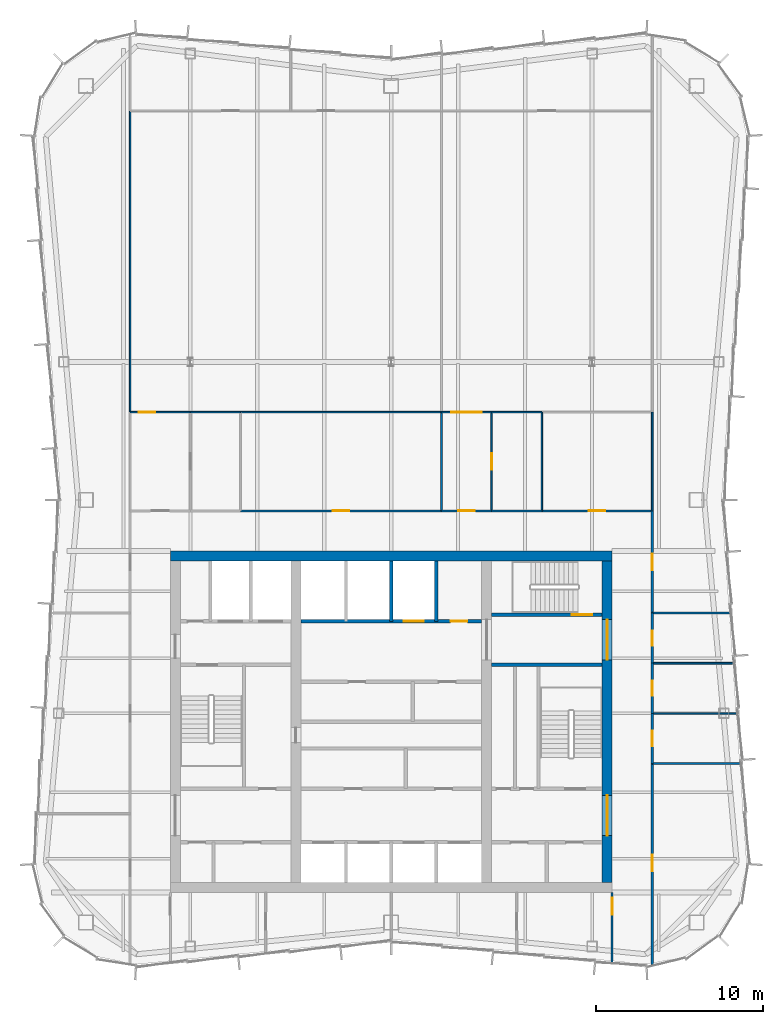
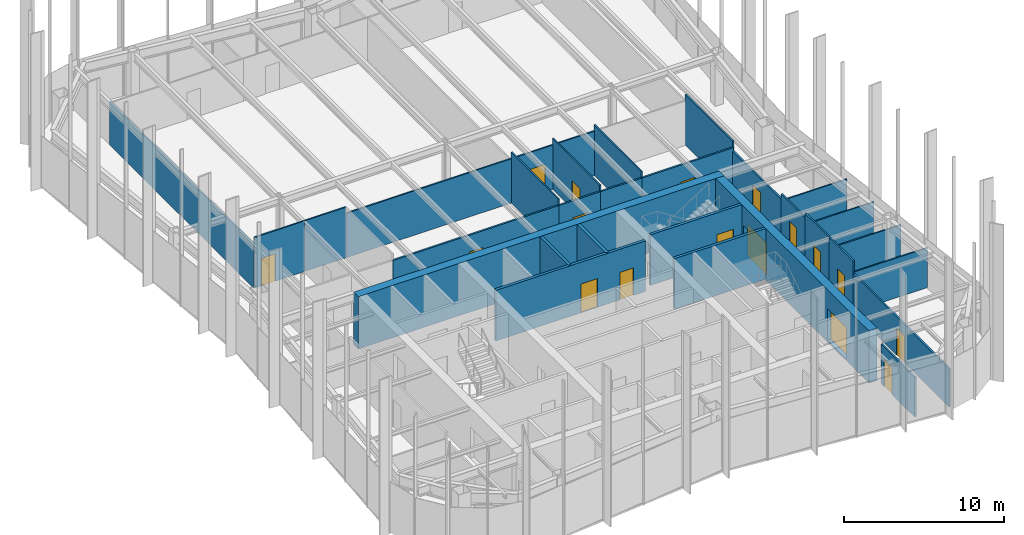
# One storey, part 11 of 13: 31 walls, 17 doors, 17 openings.
"""IFC4 building model written with IfcOpenShell, lengths in metres."""

import ifcopenshell
import ifcopenshell.guid

model = None  # the IFC model being written
_history = None  # IfcOwnerHistory: only IFC2X3 demands one
_inside = {}  # id of a spatial element -> (the spatial element, [elements in it])
_under = {}  # id of a project, library or spatial element -> (it, [spatial elements below it])
_declared = {}  # id of a project -> (the project, [libraries it declares])
_typed = {}  # id of a type object -> (the type object, [elements of that type])
_made_of = {}  # id of a material, layer set ... -> (it, [elements and type objects made of it])


def new_model(schema):
    """Start an empty IFC model of exactly this schema.

    Asked for "IFC4X3", IfcOpenShell would pick the latest addendum, in which some entities
    have other attributes; the version numbers below select the first issue.
    IFC2X3 requires an IfcOwnerHistory on every rooted entity: one is made here for all.
    """
    global model, _history
    if schema == "IFC4X3":
        model = ifcopenshell.file(schema_version=(4, 3, 0, 0))
    else:
        model = ifcopenshell.file(schema=schema)
    _inside.clear()
    _under.clear()
    _declared.clear()
    _typed.clear()
    _made_of.clear()
    _history = None
    if model.schema == "IFC2X3":
        org = make("IfcOrganization", Name="unknown")
        user = make(
            "IfcPersonAndOrganization",
            ThePerson=make("IfcPerson", FamilyName="unknown"),
            TheOrganization=org,
        )
        app = make(
            "IfcApplication",
            ApplicationDeveloper=org,
            Version="unknown",
            ApplicationFullName="unknown",
            ApplicationIdentifier="unknown",
        )
        _history = make(
            "IfcOwnerHistory",
            OwningUser=user,
            OwningApplication=app,
            ChangeAction="ADDED",
            CreationDate=0,
        )
    return model


def make(cls, **values):
    """One entity of the class cls with the attributes given. An attribute that is None is left unset."""
    return model.create_entity(
        cls, **{name: value for name, value in values.items() if value is not None}
    )


def rooted(cls, **values):
    """An entity with a GlobalId (a new one), such as an element, a storey or a relation."""
    return make(cls, GlobalId=ifcopenshell.guid.new(), OwnerHistory=_history, **values)


def si_unit(unit_type, name, prefix=None):
    """IfcSIUnit, for example si_unit("LENGTHUNIT", "METRE", prefix="MILLI")."""
    return make("IfcSIUnit", UnitType=unit_type, Prefix=prefix, Name=name)


def assignment(units):
    """IfcUnitAssignment: the units of a project."""
    return None if units is None else make("IfcUnitAssignment", Units=units)


def point(xyz):
    """IfcCartesianPoint."""
    return None if xyz is None else make("IfcCartesianPoint", Coordinates=xyz)


def direction(xyz):
    """IfcDirection."""
    return None if xyz is None else make("IfcDirection", DirectionRatios=xyz)


def frame(location, z_axis=None, x_axis=None):
    """IfcAxis2Placement3D, a coordinate frame: its origin and axes. An axis left out is left unset."""
    return make(
        "IfcAxis2Placement3D",
        Location=point(location),
        Axis=direction(z_axis),
        RefDirection=direction(x_axis),
    )


def frame_2d(location, x_axis=None):
    """IfcAxis2Placement2D, a coordinate frame in the plane: its origin and x axis."""
    return make(
        "IfcAxis2Placement2D", Location=point(location), RefDirection=direction(x_axis)
    )


def origin():
    """The frame at (0, 0, 0) with its axes left unset."""
    return frame((0.0, 0.0, 0.0))


def place(relative_to, where):
    """IfcLocalPlacement: puts the frame where relative to a parent placement (None: the world)."""
    return make(
        "IfcLocalPlacement", PlacementRelTo=relative_to, RelativePlacement=where
    )


def context(
    kind, dimensions, precision=None, world=None, true_north=None, identifier=None
):
    """IfcGeometricRepresentationContext, for example the 3D "Model" context."""
    return make(
        "IfcGeometricRepresentationContext",
        ContextIdentifier=identifier,
        ContextType=kind,
        CoordinateSpaceDimension=dimensions,
        Precision=precision,
        WorldCoordinateSystem=world,
        TrueNorth=true_north,
    )


def subcontext(parent, identifier, kind, view, scale=None):
    """IfcGeometricRepresentationSubContext, for example "Body" below "Model"."""
    return make(
        "IfcGeometricRepresentationSubContext",
        ContextIdentifier=identifier,
        ContextType=kind,
        ParentContext=parent,
        TargetScale=scale,
        TargetView=view,
    )


def project(units=None, contexts=None):
    """IfcProject with its units and contexts."""
    return rooted(
        "IfcProject",
        Name="project",
        RepresentationContexts=contexts,
        UnitsInContext=assignment(units),
    )


def spatial(cls, under=None, at=None, **own):
    """A site, building, storey or space (cls), placed at a placement, below another one or the project."""
    s = rooted(cls, ObjectPlacement=at, **own)
    if under is not None:
        _under.setdefault(under.id(), (under, []))[1].append(s)
    return s


def profile(cls, at=None, kind="AREA", **sizes):
    """A parametric profile (cls). Its sizes go by their IFC names, for example OverallWidth=200.0."""
    return make(cls, ProfileType=kind, Position=at, **sizes)


def rectangle(**sizes):
    """IfcRectangleProfileDef."""
    return profile("IfcRectangleProfileDef", **sizes)


def extrude(swept, where, along, depth):
    """IfcExtrudedAreaSolid: the profile swept, set in the frame where, extruded along a direction by depth."""
    return make(
        "IfcExtrudedAreaSolid",
        SweptArea=swept,
        Position=where,
        ExtrudedDirection=direction(along),
        Depth=depth,
    )


def shape(context_of_items, identifier, shape_type, items):
    """IfcShapeRepresentation: the items that make up one representation, for example the "Body"."""
    return make(
        "IfcShapeRepresentation",
        ContextOfItems=context_of_items,
        RepresentationIdentifier=identifier,
        RepresentationType=shape_type,
        Items=items,
    )


def material(Name=None, Category=None):
    """IfcMaterial."""
    return make("IfcMaterial", Name=Name, Category=Category)


def layer(
    of_material, thickness, ventilated=None, Name=None, Category=None, Priority=None
):
    """IfcMaterialLayer: one layer of a wall or slab, of a material (None: an air gap)."""
    return make(
        "IfcMaterialLayer",
        Material=of_material,
        LayerThickness=thickness,
        IsVentilated=ventilated,
        Name=Name,
        Category=Category,
        Priority=Priority,
    )


def layer_set(layers, Name=None):
    """IfcMaterialLayerSet."""
    return make("IfcMaterialLayerSet", MaterialLayers=layers, LayerSetName=Name)


def made_of(thing, what):
    """Note that an element or type object is made of a material, layer set ...; save() writes the relation."""
    if what is not None:
        _made_of.setdefault(what.id(), (what, []))[1].append(thing)
    return thing


def type_object(cls, material=None, **own):
    """A type object (cls), such as IfcWallType, which elements share."""
    return made_of(rooted(cls, **own), material)


def element(
    cls,
    number,
    at=None,
    inside=None,
    cuts=None,
    type_object=None,
    material=None,
    context=None,
    identifier="Body",
    shape_type=None,
    held_by="IfcProductDefinitionShape",
    body=None,
    shapes=None,
    **own,
):
    """One element of the class cls, such as IfcWall. Its Tag is "e" and its number.

    at: its placement. inside: the storey or other place that contains it. cuts: it is an
    opening in that element (IfcRelVoidsElement). A single representation is given by context,
    identifier, shape_type and body (its items); several are given by shapes. held_by: the class
    of the entity that holds the representations. save() writes the other relations.
    """
    e = rooted(cls, Tag="e%d" % number, ObjectPlacement=at, **own)
    if body is not None:
        shapes = [shape(context, identifier, shape_type, body)]
    if shapes is not None:
        e.Representation = make(held_by, Representations=shapes)
    if inside is not None:
        _inside.setdefault(inside.id(), (inside, []))[1].append(e)
    if cuts is not None:
        rooted(
            "IfcRelVoidsElement", RelatingBuildingElement=cuts, RelatedOpeningElement=e
        )
    if type_object is not None:
        _typed.setdefault(type_object.id(), (type_object, []))[1].append(e)
    return made_of(e, material)


def fill(opening, filler):
    """IfcRelFillsElement: the door or window that sits in an opening."""
    return rooted(
        "IfcRelFillsElement",
        RelatingOpeningElement=opening,
        RelatedBuildingElement=filler,
    )


def aggregate(whole, parts):
    """IfcRelAggregates: a whole, such as a stair, and the parts it consists of."""
    return rooted("IfcRelAggregates", RelatingObject=whole, RelatedObjects=parts)


def save(model, path):
    """Write the relations noted so far, then the file.

    IfcRelAggregates (storeys below a building ...), IfcRelContainedInSpatialStructure (elements
    in a storey), IfcRelDefinesByType, IfcRelAssociatesMaterial and IfcRelDeclares: one each for
    every whole, place, type object, material and project.
    """
    for whole, parts in _under.values():
        aggregate(whole, parts)
    for where, things in _inside.values():
        rooted(
            "IfcRelContainedInSpatialStructure",
            RelatedElements=things,
            RelatingStructure=where,
        )
    for kind, things in _typed.values():
        rooted("IfcRelDefinesByType", RelatedObjects=things, RelatingType=kind)
    for what, things in _made_of.values():
        rooted("IfcRelAssociatesMaterial", RelatedObjects=things, RelatingMaterial=what)
    for by, libraries in _declared.values():
        rooted("IfcRelDeclares", RelatingContext=by, RelatedDefinitions=libraries)
    model.write(path)


model = new_model("IFC4")

# Units and contexts
model_context = context("Model", 3, precision=1e-05, world=origin(), true_north=direction((0.0, 1.0)))
body_context = subcontext(model_context, "Body", "Model", "MODEL_VIEW")
ifc_project = project(units=[si_unit("LENGTHUNIT", "METRE"), si_unit("AREAUNIT", "SQUARE_METRE"), si_unit("VOLUMEUNIT", "CUBIC_METRE"), si_unit("PLANEANGLEUNIT", "RADIAN"), si_unit("MASSUNIT", "GRAM", prefix="KILO")], contexts=[model_context])

# Site, building, storey
site_placement = place(None, origin())
site = spatial("IfcSite", under=ifc_project, at=site_placement, CompositionType="ELEMENT")
building_placement = place(site_placement, origin())
building = spatial("IfcBuilding", under=site, at=building_placement, Name="Verdant Reach Tower", CompositionType="ELEMENT")
storey_placement = place(building_placement, frame((0.0, 0.0, 294.0)))
storey = spatial("IfcBuildingStorey", under=building, at=storey_placement, Name="L67", CompositionType="ELEMENT", Elevation=294.0)

# Wall, openings, doors
ifc_material_1 = material(Name="Concrete C40/50", Category="concrete")
ifc_layer_1 = layer(ifc_material_1, 0.199951171875)
ifc_layer_set_1 = layer_set([ifc_layer_1], Name="CO-WALL-SHAFT")
wall_type_1 = type_object("IfcWallType", Name="CO-WALL-SHAFT", PredefinedType="PARTITIONING", material=ifc_layer_set_1)
wall_1_placement = place(storey_placement, frame((-5.39990234375, 34.0, 0.0), z_axis=(0.0, 0.0, 1.0), x_axis=(1.0, 0.0, 0.0)))
wall_1 = element("IfcWall", 1, at=wall_1_placement, inside=storey, type_object=wall_type_1, Name="Lift shaft wall, L67", PredefinedType="PARTITIONING", context=body_context, shape_type="SweptSolid", body=[
    extrude(rectangle(XDim=10.7998046875, YDim=0.199951171875, at=frame_2d((5.39990234375, 0.0))), origin(), (0.0, 0.0, 1.0), 3.8701171875),
])
opening_1_placement = place(wall_1_placement, frame((6.14990234375, 0.0, 0.0)))
opening_1 = element("IfcOpeningElement", 2, at=opening_1_placement, cuts=wall_1, Name="Opening LD-SL1", PredefinedType="OPENING", context=body_context, shape_type="SweptSolid", body=[
    extrude(rectangle(XDim=1.199951171875, YDim=2.199951171875, at=frame_2d((0.60009765625, 1.10009765625))), frame((0.0, 0.10986328125, 0.0), z_axis=(0.0, -1.0, 0.0), x_axis=(1.0, 0.0, 0.0)), (0.0, 0.0, 1.0), 0.219970703125),
])
opening_2_placement = place(wall_1_placement, frame((8.949951171875, 0.0, 0.0)))
opening_2 = element("IfcOpeningElement", 3, at=opening_2_placement, cuts=wall_1, Name="Opening CD", PredefinedType="OPENING", context=body_context, shape_type="SweptSolid", body=[
    extrude(rectangle(XDim=1.0, YDim=2.10009765625, at=frame_2d((0.5, 1.050048828125))), frame((0.0, 0.10986328125, 0.0), z_axis=(0.0, -1.0, 0.0), x_axis=(1.0, 0.0, 0.0)), (0.0, 0.0, 1.0), 0.219970703125),
])
ifc_material_2 = material(Name="Stainless steel", Category="steel")
door_type_1 = type_object("IfcDoorType", Name="CO-DOOR-LANDING", OperationType="SLIDING_TO_LEFT", PredefinedType="DOOR", material=ifc_material_2)
door_1_placement = place(opening_1_placement, origin())
door_1 = element("IfcDoor", 4, at=door_1_placement, inside=storey, type_object=door_type_1, Name="Landing door SL1, L67", OperationType="SLIDING_TO_LEFT", OverallHeight=2.199951171875, OverallWidth=1.199951171875, PredefinedType="DOOR", context=body_context, shape_type="SweptSolid", body=[
    extrude(rectangle(XDim=1.199951171875, YDim=2.199951171875, at=frame_2d((0.60009765625, 1.10009765625))), frame((0.0, 0.02490234375, 0.0), z_axis=(0.0, -1.0, 0.0), x_axis=(1.0, 0.0, 0.0)), (0.0, 0.0, 1.0), 0.050048828125),
])
fill(opening_1, door_1)
ifc_material_3 = material(Name="Timber", Category="wood")
door_type_2 = type_object("IfcDoorType", Name="CO-DOOR-ROOM", OperationType="NOTDEFINED", PredefinedType="DOOR", material=ifc_material_3)
door_2_placement = place(opening_2_placement, origin())
door_2 = element("IfcDoor", 5, at=door_2_placement, inside=storey, type_object=door_type_2, Name="Core room door, L67", OperationType="SINGLE_SWING_LEFT", OverallHeight=2.10009765625, OverallWidth=1.0, PredefinedType="DOOR", context=body_context, shape_type="SweptSolid", body=[
    extrude(rectangle(XDim=1.0, YDim=2.10009765625, at=frame_2d((0.5, 1.050048828125))), frame((0.0, 0.02490234375, 0.0), z_axis=(0.0, -1.0, 0.0), x_axis=(1.0, 0.0, 0.0)), (0.0, 0.0, 1.0), 0.050048828125),
])
fill(opening_2, door_2)

# Walls
for number, where, z_axis, x_axis, name in (
    (6, (0.0, 34.0, 0.0), (0.0, 0.0, 1.0), (0.0, 1.0, 0.0), "Lift shaft wall, L67"),
    (7, (2.699951171875, 34.0, 0.0), (0.0, 0.0, 1.0), (0.0, 1.0, 0.0), "Lift shaft wall, L67"),
):
    element("IfcWall", number, at=place(storey_placement, frame(where, z_axis=z_axis, x_axis=x_axis)), inside=storey, type_object=wall_type_1, Name=name, PredefinedType="PARTITIONING", context=body_context, shape_type="SweptSolid", body=[
        extrude(rectangle(XDim=3.60009765625, YDim=0.199951171875, at=frame_2d((1.800048828125, 0.0))), origin(), (0.0, 0.0, 1.0), 3.8701171875),
    ])
ifc_layer_2 = layer(ifc_material_1, 0.199951171875)
ifc_layer_set_2 = layer_set([ifc_layer_2], Name="CO-WALL-STAIR")
wall_type_2 = type_object("IfcWallType", Name="CO-WALL-STAIR", PredefinedType="PARTITIONING", material=ifc_layer_set_2)
wall_2_placement = place(storey_placement, frame((6.0, 31.39990234375, 0.0), z_axis=(0.0, 0.0, 1.0), x_axis=(1.0, 0.0, 0.0)))
element("IfcWall", 8, at=wall_2_placement, inside=storey, type_object=wall_type_2, Name="Stair enclosure wall, L67", PredefinedType="PARTITIONING", context=body_context, shape_type="SweptSolid", body=[
    extrude(rectangle(XDim=6.60009765625, YDim=0.199951171875, at=frame_2d((3.300048828125, 0.0))), origin(), (0.0, 0.0, 1.0), 3.8701171875),
])

# Wall, opening, door
wall_3_placement = place(storey_placement, frame((6.0, 34.39990234375, 0.0), z_axis=(0.0, 0.0, 1.0), x_axis=(1.0, 0.0, 0.0)))
wall_3 = element("IfcWall", 9, at=wall_3_placement, inside=storey, type_object=wall_type_2, Name="Stair enclosure wall, L67", PredefinedType="PARTITIONING", context=body_context, shape_type="SweptSolid", body=[
    extrude(rectangle(XDim=6.60009765625, YDim=0.199951171875, at=frame_2d((3.300048828125, 0.0))), origin(), (0.0, 0.0, 1.0), 3.8701171875),
])
opening_3_placement = place(wall_3_placement, frame((4.800048828125, 0.0, 0.0)))
opening_3 = element("IfcOpeningElement", 10, at=opening_3_placement, cuts=wall_3, Name="Opening SD", PredefinedType="OPENING", context=body_context, shape_type="SweptSolid", body=[
    extrude(rectangle(XDim=1.199951171875, YDim=2.199951171875, at=frame_2d((0.60009765625, 1.10009765625))), frame((0.0, 0.10986328125, 0.0), z_axis=(0.0, -1.0, 0.0), x_axis=(1.0, 0.0, 0.0)), (0.0, 0.0, 1.0), 0.219970703125),
])
ifc_material_4 = material(Name="Steel", Category="steel")
door_type_3 = type_object("IfcDoorType", Name="CO-DOOR-STAIR", OperationType="NOTDEFINED", PredefinedType="DOOR", material=ifc_material_4)
door_3_placement = place(opening_3_placement, origin())
door_3 = element("IfcDoor", 11, at=door_3_placement, inside=storey, type_object=door_type_3, Name="Stair door, L67", OperationType="SINGLE_SWING_LEFT", OverallHeight=2.199951171875, OverallWidth=1.199951171875, PredefinedType="DOOR", context=body_context, shape_type="SweptSolid", body=[
    extrude(rectangle(XDim=1.199951171875, YDim=2.199951171875, at=frame_2d((0.60009765625, 1.10009765625))), frame((0.0, 0.02490234375, 0.0), z_axis=(0.0, -1.0, 0.0), x_axis=(1.0, 0.0, 0.0)), (0.0, 0.0, 1.0), 0.050048828125),
])
fill(opening_3, door_3)

# Walls
ifc_material_5 = material(Name="Gypsum board on steel studs", Category="steel")
ifc_layer_3 = layer(ifc_material_5, 0.10009765625)
ifc_layer_set_3 = layer_set([ifc_layer_3], Name="FL-W1 Partition 100")
wall_type_3 = type_object("IfcWallType", Name="FL-W1 Partition 100", PredefinedType="PARTITIONING", material=ifc_layer_set_3)
wall_4_placement = place(storey_placement, frame((-15.60009765625, 46.5, 0.0), z_axis=(0.0, 0.0, 1.0), x_axis=(0.0, 1.0, 0.0)))
element("IfcWall", 12, at=wall_4_placement, inside=storey, type_object=wall_type_3, Name="Partition 67.20", PredefinedType="PARTITIONING", context=body_context, shape_type="SweptSolid", body=[
    extrude(rectangle(XDim=18.0, YDim=0.10009765625, at=frame_2d((9.0, 0.0))), origin(), (0.0, 0.0, 1.0), 3.35009765625),
])
wall_5_placement = place(storey_placement, frame((20.916259765625, 25.5, 0.0), z_axis=(0.0, 0.0, 1.0), x_axis=(-1.0, 0.0, 0.0)))
element("IfcWall", 13, at=wall_5_placement, inside=storey, type_object=wall_type_3, Name="Partition 67.22", PredefinedType="PARTITIONING", context=body_context, shape_type="SweptSolid", body=[
    extrude(rectangle(XDim=5.316162109375, YDim=0.10009765625, at=frame_2d((2.658203125, 0.0))), origin(), (0.0, 0.0, 1.0), 3.0400390625),
])
wall_6_placement = place(storey_placement, frame((20.709228515625, 28.5, 0.0), z_axis=(0.0, 0.0, 1.0), x_axis=(-1.0, 0.0, 0.0)))
element("IfcWall", 14, at=wall_6_placement, inside=storey, type_object=wall_type_3, Name="Partition 67.23", PredefinedType="PARTITIONING", context=body_context, shape_type="SweptSolid", body=[
    extrude(rectangle(XDim=5.109130859375, YDim=0.10009765625, at=frame_2d((2.5546875, 0.0))), origin(), (0.0, 0.0, 1.0), 3.0400390625),
])
wall_7_placement = place(storey_placement, frame((20.50244140625, 31.5, 0.0), z_axis=(0.0, 0.0, 1.0), x_axis=(-1.0, 0.0, 0.0)))
element("IfcWall", 15, at=wall_7_placement, inside=storey, type_object=wall_type_3, Name="Partition 67.24", PredefinedType="PARTITIONING", context=body_context, shape_type="SweptSolid", body=[
    extrude(rectangle(XDim=4.90234375, YDim=0.10009765625, at=frame_2d((2.451171875, 0.0))), origin(), (0.0, 0.0, 1.0), 3.0400390625),
])
wall_8_placement = place(storey_placement, frame((20.29541015625, 34.5, 0.0), z_axis=(0.0, 0.0, 1.0), x_axis=(-1.0, 0.0, 0.0)))
element("IfcWall", 16, at=wall_8_placement, inside=storey, type_object=wall_type_3, Name="Partition 67.25", PredefinedType="PARTITIONING", context=body_context, shape_type="SweptSolid", body=[
    extrude(rectangle(XDim=4.6953125, YDim=0.10009765625, at=frame_2d((2.34765625, 0.0))), origin(), (0.0, 0.0, 1.0), 3.0400390625),
])
wall_9_placement = place(storey_placement, frame((15.60009765625, 46.5, 0.0), z_axis=(0.0, 0.0, 1.0), x_axis=(0.0, -1.0, 0.0)))
element("IfcWall", 17, at=wall_9_placement, inside=storey, type_object=wall_type_3, Name="Partition 67.26", PredefinedType="PARTITIONING", context=body_context, shape_type="SweptSolid", body=[
    extrude(rectangle(XDim=5.89990234375, YDim=0.10009765625, at=frame_2d((2.949951171875, 0.0))), origin(), (0.0, 0.0, 1.0), 3.8701171875),
])

# Wall, opening, door
wall_10_placement = place(storey_placement, frame((-15.60009765625, 46.5, 0.0), z_axis=(0.0, 0.0, 1.0), x_axis=(1.0, 0.0, 0.0)))
wall_10 = element("IfcWall", 18, at=wall_10_placement, inside=storey, type_object=wall_type_3, Name="Partition 67.33", PredefinedType="PARTITIONING", context=body_context, shape_type="SweptSolid", body=[
    extrude(rectangle(XDim=3.60400390625, YDim=0.10009765625, at=frame_2d((1.802001953125, 0.0))), origin(), (0.0, 0.0, 1.0), 3.8701171875),
])
opening_4_placement = place(wall_10_placement, frame((0.501953125, 0.0, 0.0)))
opening_4 = element("IfcOpeningElement", 19, at=opening_4_placement, cuts=wall_10, Name="Opening D3", PredefinedType="OPENING", context=body_context, shape_type="SweptSolid", body=[
    extrude(rectangle(XDim=1.0, YDim=2.10009765625, at=frame_2d((0.5, 1.050048828125))), frame((0.0, 0.06005859375, 0.0), z_axis=(0.0, -1.0, 0.0), x_axis=(1.0, 0.0, 0.0)), (0.0, 0.0, 1.0), 0.1201171875),
])
ifc_material_6 = material(Name="Painted timber door leaf", Category="wood")
door_type_4 = type_object("IfcDoorType", Name="FL-D3 Door 1000x2100", OperationType="NOTDEFINED", PredefinedType="DOOR", material=ifc_material_6)
door_4_placement = place(opening_4_placement, origin())
door_4 = element("IfcDoor", 20, at=door_4_placement, inside=storey, type_object=door_type_4, Name="Door 67-018", OperationType="SINGLE_SWING_LEFT", OverallHeight=2.10009765625, OverallWidth=1.0, PredefinedType="DOOR", context=body_context, shape_type="SweptSolid", body=[
    extrude(rectangle(XDim=1.0, YDim=2.10009765625, at=frame_2d((0.5, 1.050048828125))), frame((0.0, 0.02490234375, 0.0), z_axis=(0.0, -1.0, 0.0), x_axis=(1.0, 0.0, 0.0)), (0.0, 0.0, 1.0), 0.050048828125),
])
fill(opening_4, door_4)

# Walls
wall_11_placement = place(storey_placement, frame((-8.99609375, 46.5, 0.0), z_axis=(0.0, 0.0, 1.0), x_axis=(-1.0, 0.0, 0.0)))
element("IfcWall", 21, at=wall_11_placement, inside=storey, type_object=wall_type_3, Name="Partition 67.35", PredefinedType="PARTITIONING", context=body_context, shape_type="SweptSolid", body=[
    extrude(rectangle(XDim=3.0078125, YDim=0.10009765625, at=frame_2d((1.50390625, 0.0))), origin(), (0.0, 0.0, 1.0), 3.8701171875),
])
wall_12_placement = place(storey_placement, frame((3.0, 46.5, 0.0), z_axis=(0.0, 0.0, 1.0), x_axis=(-1.0, 0.0, 0.0)))
element("IfcWall", 22, at=wall_12_placement, inside=storey, type_object=wall_type_3, Name="Partition 67.36", PredefinedType="PARTITIONING", context=body_context, shape_type="SweptSolid", body=[
    extrude(rectangle(XDim=12.00390625, YDim=0.10009765625, at=frame_2d((6.001953125, 0.0))), origin(), (0.0, 0.0, 1.0), 3.389892578125),
])
wall_13_placement = place(storey_placement, frame((3.0, 40.60009765625, 0.0), z_axis=(0.0, 0.0, 1.0), x_axis=(0.0, 1.0, 0.0)))
element("IfcWall", 23, at=wall_13_placement, inside=storey, type_object=wall_type_3, Name="Partition 67.37", PredefinedType="PARTITIONING", context=body_context, shape_type="SweptSolid", body=[
    extrude(rectangle(XDim=5.89990234375, YDim=0.10009765625, at=frame_2d((2.949951171875, 0.0))), origin(), (0.0, 0.0, 1.0), 3.8701171875),
])

# Wall, opening, door
wall_14_placement = place(storey_placement, frame((6.0, 46.5, 0.0), z_axis=(0.0, 0.0, 1.0), x_axis=(0.0, -1.0, 0.0)))
wall_14 = element("IfcWall", 24, at=wall_14_placement, inside=storey, type_object=wall_type_3, Name="Partition 67.43", PredefinedType="PARTITIONING", context=body_context, shape_type="SweptSolid", body=[
    extrude(rectangle(XDim=5.89990234375, YDim=0.10009765625, at=frame_2d((2.949951171875, 0.0))), origin(), (0.0, 0.0, 1.0), 3.8701171875),
])
opening_5_placement = place(wall_14_placement, frame((2.449951171875, 0.0, 0.0)))
opening_5 = element("IfcOpeningElement", 25, at=opening_5_placement, cuts=wall_14, Name="Opening D3", PredefinedType="OPENING", context=body_context, shape_type="SweptSolid", body=[
    extrude(rectangle(XDim=1.0, YDim=2.10009765625, at=frame_2d((0.5, 1.050048828125))), frame((0.0, 0.06005859375, 0.0), z_axis=(0.0, -1.0, 0.0), x_axis=(1.0, 0.0, 0.0)), (0.0, 0.0, 1.0), 0.1201171875),
])
door_5_placement = place(opening_5_placement, origin())
door_5 = element("IfcDoor", 26, at=door_5_placement, inside=storey, type_object=door_type_4, Name="Door 67-021", OperationType="SINGLE_SWING_LEFT", OverallHeight=2.10009765625, OverallWidth=1.0, PredefinedType="DOOR", context=body_context, shape_type="SweptSolid", body=[
    extrude(rectangle(XDim=1.0, YDim=2.10009765625, at=frame_2d((0.5, 1.050048828125))), frame((0.0, 0.02490234375, 0.0), z_axis=(0.0, -1.0, 0.0), x_axis=(1.0, 0.0, 0.0)), (0.0, 0.0, 1.0), 0.050048828125),
])
fill(opening_5, door_5)

wall_15_placement = place(storey_placement, frame((3.0, 46.5, 0.0), z_axis=(0.0, 0.0, 1.0), x_axis=(1.0, 0.0, 0.0)))
wall_15 = element("IfcWall", 27, at=wall_15_placement, inside=storey, type_object=wall_type_3, Name="Partition 67.44", PredefinedType="PARTITIONING", context=body_context, shape_type="SweptSolid", body=[
    extrude(rectangle(XDim=3.00390625, YDim=0.10009765625, at=frame_2d((1.501953125, 0.0))), origin(), (0.0, 0.0, 1.0), 3.389892578125),
])
opening_6_placement = place(wall_15_placement, frame((0.60205078125, 0.0, 0.0)))
opening_6 = element("IfcOpeningElement", 28, at=opening_6_placement, cuts=wall_15, Name="Opening D5", PredefinedType="OPENING", context=body_context, shape_type="SweptSolid", body=[
    extrude(rectangle(XDim=1.800048828125, YDim=2.10009765625, at=frame_2d((0.89990234375, 1.050048828125))), frame((0.0, 0.06005859375, 0.0), z_axis=(0.0, -1.0, 0.0), x_axis=(1.0, 0.0, 0.0)), (0.0, 0.0, 1.0), 0.1201171875),
])
ifc_material_7 = material(Name="Painted timber door leaves", Category="wood")
door_type_5 = type_object("IfcDoorType", Name="FL-D5 Double door 1800x2100", OperationType="DOUBLE_DOOR_SINGLE_SWING", PredefinedType="DOOR", material=ifc_material_7)
door_6_placement = place(opening_6_placement, origin())
door_6 = element("IfcDoor", 29, at=door_6_placement, inside=storey, type_object=door_type_5, Name="Door 67-022", OperationType="DOUBLE_DOOR_SINGLE_SWING", OverallHeight=2.10009765625, OverallWidth=1.800048828125, PredefinedType="DOOR", context=body_context, shape_type="SweptSolid", body=[
    extrude(rectangle(XDim=1.800048828125, YDim=2.10009765625, at=frame_2d((0.89990234375, 1.050048828125))), frame((0.0, 0.02490234375, 0.0), z_axis=(0.0, -1.0, 0.0), x_axis=(1.0, 0.0, 0.0)), (0.0, 0.0, 1.0), 0.050048828125),
])
fill(opening_6, door_6)

# Walls
wall_16_placement = place(storey_placement, frame((9.0, 40.60009765625, 0.0), z_axis=(0.0, 0.0, 1.0), x_axis=(0.0, 1.0, 0.0)))
element("IfcWall", 30, at=wall_16_placement, inside=storey, type_object=wall_type_3, Name="Partition 67.45", PredefinedType="PARTITIONING", context=body_context, shape_type="SweptSolid", body=[
    extrude(rectangle(XDim=5.89990234375, YDim=0.10009765625, at=frame_2d((2.949951171875, 0.0))), origin(), (0.0, 0.0, 1.0), 3.8701171875),
])
wall_17_placement = place(storey_placement, frame((9.00390625, 46.5, 0.0), z_axis=(0.0, 0.0, 1.0), x_axis=(-1.0, 0.0, 0.0)))
element("IfcWall", 31, at=wall_17_placement, inside=storey, type_object=wall_type_3, Name="Partition 67.46", PredefinedType="PARTITIONING", context=body_context, shape_type="SweptSolid", body=[
    extrude(rectangle(XDim=3.0078125, YDim=0.10009765625, at=frame_2d((1.50390625, 0.0))), origin(), (0.0, 0.0, 1.0), 3.389892578125),
])

# Wall, opening, door
ifc_material_8 = material(Name="Gypsum board on steel studs, fire rated", Category="steel")
ifc_layer_4 = layer(ifc_material_8, 0.125)
ifc_layer_set_4 = layer_set([ifc_layer_4], Name="FL-W2 Corridor wall 125")
wall_type_4 = type_object("IfcWallType", Name="FL-W2 Corridor wall 125", PredefinedType="PARTITIONING", material=ifc_layer_set_4)
wall_18_placement = place(storey_placement, frame((15.60009765625, 25.5, 0.0), z_axis=(0.0, 0.0, 1.0), x_axis=(0.0, -1.0, 0.0)))
wall_18 = element("IfcWall", 32, at=wall_18_placement, inside=storey, type_object=wall_type_4, Name="Partition 67.04", PredefinedType="PARTITIONING", context=body_context, shape_type="SweptSolid", body=[
    extrude(rectangle(XDim=12.010498046875, YDim=0.125, at=frame_2d((6.00537109375, 0.0))), origin(), (0.0, 0.0, 1.0), 2.929931640625),
])
opening_7_placement = place(wall_18_placement, frame((5.439697265625, 0.0, 0.0)))
opening_7 = element("IfcOpeningElement", 33, at=opening_7_placement, cuts=wall_18, Name="Opening D2", PredefinedType="OPENING", context=body_context, shape_type="SweptSolid", body=[
    extrude(rectangle(XDim=1.0, YDim=2.10009765625, at=frame_2d((0.5, 1.050048828125))), frame((0.0, 0.072509765625, 0.0), z_axis=(0.0, -1.0, 0.0), x_axis=(1.0, 0.0, 0.0)), (0.0, 0.0, 1.0), 0.14501953125),
])
ifc_material_9 = material(Name="Timber door leaf, fire rated", Category="wood")
door_type_6 = type_object("IfcDoorType", Name="FL-D2 Entrance door 1000x2100 FD30", OperationType="NOTDEFINED", PredefinedType="DOOR", material=ifc_material_9)
door_7_placement = place(opening_7_placement, origin())
door_7 = element("IfcDoor", 34, at=door_7_placement, inside=storey, type_object=door_type_6, Name="Door 67-004", OperationType="SINGLE_SWING_LEFT", OverallHeight=2.10009765625, OverallWidth=1.0, PredefinedType="DOOR", context=body_context, shape_type="SweptSolid", body=[
    extrude(rectangle(XDim=1.0, YDim=2.10009765625, at=frame_2d((0.5, 1.050048828125))), frame((0.0, 0.02490234375, 0.0), z_axis=(0.0, -1.0, 0.0), x_axis=(1.0, 0.0, 0.0)), (0.0, 0.0, 1.0), 0.050048828125),
])
fill(opening_7, door_7)

wall_19_placement = place(storey_placement, frame((15.60009765625, 28.5, 0.0), z_axis=(0.0, 0.0, 1.0), x_axis=(0.0, -1.0, 0.0)))
wall_19 = element("IfcWall", 35, at=wall_19_placement, inside=storey, type_object=wall_type_4, Name="Partition 67.05", PredefinedType="PARTITIONING", context=body_context, shape_type="SweptSolid", body=[
    extrude(rectangle(XDim=3.0, YDim=0.125, at=frame_2d((1.5, 0.0))), origin(), (0.0, 0.0, 1.0), 3.8701171875),
])
opening_8_placement = place(wall_19_placement, frame((1.050048828125, 0.0, 0.0)))
opening_8 = element("IfcOpeningElement", 36, at=opening_8_placement, cuts=wall_19, Name="Opening D1", PredefinedType="OPENING", context=body_context, shape_type="SweptSolid", body=[
    extrude(rectangle(XDim=0.89990234375, YDim=2.10009765625, at=frame_2d((0.449951171875, 1.050048828125))), frame((0.0, 0.072509765625, 0.0), z_axis=(0.0, -1.0, 0.0), x_axis=(1.0, 0.0, 0.0)), (0.0, 0.0, 1.0), 0.14501953125),
])
door_type_7 = type_object("IfcDoorType", Name="FL-D1 Door 900x2100", OperationType="NOTDEFINED", PredefinedType="DOOR", material=ifc_material_6)
door_8_placement = place(opening_8_placement, origin())
door_8 = element("IfcDoor", 37, at=door_8_placement, inside=storey, type_object=door_type_7, Name="Door 67-005", OperationType="SINGLE_SWING_LEFT", OverallHeight=2.10009765625, OverallWidth=0.89990234375, PredefinedType="DOOR", context=body_context, shape_type="SweptSolid", body=[
    extrude(rectangle(XDim=0.89990234375, YDim=2.10009765625, at=frame_2d((0.449951171875, 1.050048828125))), frame((0.0, 0.02490234375, 0.0), z_axis=(0.0, -1.0, 0.0), x_axis=(1.0, 0.0, 0.0)), (0.0, 0.0, 1.0), 0.050048828125),
])
fill(opening_8, door_8)

wall_20_placement = place(storey_placement, frame((15.60009765625, 31.5, 0.0), z_axis=(0.0, 0.0, 1.0), x_axis=(0.0, -1.0, 0.0)))
wall_20 = element("IfcWall", 38, at=wall_20_placement, inside=storey, type_object=wall_type_4, Name="Partition 67.06", PredefinedType="PARTITIONING", context=body_context, shape_type="SweptSolid", body=[
    extrude(rectangle(XDim=3.0, YDim=0.125, at=frame_2d((1.5, 0.0))), origin(), (0.0, 0.0, 1.0), 3.8701171875),
])
opening_9_placement = place(wall_20_placement, frame((1.050048828125, 0.0, 0.0)))
opening_9 = element("IfcOpeningElement", 39, at=opening_9_placement, cuts=wall_20, Name="Opening D1", PredefinedType="OPENING", context=body_context, shape_type="SweptSolid", body=[
    extrude(rectangle(XDim=0.89990234375, YDim=2.10009765625, at=frame_2d((0.449951171875, 1.050048828125))), frame((0.0, 0.072509765625, 0.0), z_axis=(0.0, -1.0, 0.0), x_axis=(1.0, 0.0, 0.0)), (0.0, 0.0, 1.0), 0.14501953125),
])
door_9_placement = place(opening_9_placement, origin())
door_9 = element("IfcDoor", 40, at=door_9_placement, inside=storey, type_object=door_type_7, Name="Door 67-006", OperationType="SINGLE_SWING_RIGHT", OverallHeight=2.10009765625, OverallWidth=0.89990234375, PredefinedType="DOOR", context=body_context, shape_type="SweptSolid", body=[
    extrude(rectangle(XDim=0.89990234375, YDim=2.10009765625, at=frame_2d((0.449951171875, 1.050048828125))), frame((0.0, 0.02490234375, 0.0), z_axis=(0.0, -1.0, 0.0), x_axis=(1.0, 0.0, 0.0)), (0.0, 0.0, 1.0), 0.050048828125),
])
fill(opening_9, door_9)

wall_21_placement = place(storey_placement, frame((15.60009765625, 34.5, 0.0), z_axis=(0.0, 0.0, 1.0), x_axis=(0.0, -1.0, 0.0)))
wall_21 = element("IfcWall", 41, at=wall_21_placement, inside=storey, type_object=wall_type_4, Name="Partition 67.07", PredefinedType="PARTITIONING", context=body_context, shape_type="SweptSolid", body=[
    extrude(rectangle(XDim=3.0, YDim=0.125, at=frame_2d((1.5, 0.0))), origin(), (0.0, 0.0, 1.0), 3.5400390625),
])
opening_10_placement = place(wall_21_placement, frame((1.050048828125, 0.0, 0.0)))
opening_10 = element("IfcOpeningElement", 42, at=opening_10_placement, cuts=wall_21, Name="Opening D1", PredefinedType="OPENING", context=body_context, shape_type="SweptSolid", body=[
    extrude(rectangle(XDim=0.89990234375, YDim=2.10009765625, at=frame_2d((0.449951171875, 1.050048828125))), frame((0.0, 0.072509765625, 0.0), z_axis=(0.0, -1.0, 0.0), x_axis=(1.0, 0.0, 0.0)), (0.0, 0.0, 1.0), 0.14501953125),
])
door_10_placement = place(opening_10_placement, origin())
door_10 = element("IfcDoor", 43, at=door_10_placement, inside=storey, type_object=door_type_7, Name="Door 67-007", OperationType="SINGLE_SWING_LEFT", OverallHeight=2.10009765625, OverallWidth=0.89990234375, PredefinedType="DOOR", context=body_context, shape_type="SweptSolid", body=[
    extrude(rectangle(XDim=0.89990234375, YDim=2.10009765625, at=frame_2d((0.449951171875, 1.050048828125))), frame((0.0, 0.02490234375, 0.0), z_axis=(0.0, -1.0, 0.0), x_axis=(1.0, 0.0, 0.0)), (0.0, 0.0, 1.0), 0.050048828125),
])
fill(opening_10, door_10)

wall_22_placement = place(storey_placement, frame((15.60009765625, 40.60400390625, 0.0), z_axis=(0.0, 0.0, 1.0), x_axis=(0.0, -1.0, 0.0)))
wall_22 = element("IfcWall", 44, at=wall_22_placement, inside=storey, type_object=wall_type_4, Name="Partition 67.08", PredefinedType="PARTITIONING", context=body_context, shape_type="SweptSolid", body=[
    extrude(rectangle(XDim=6.10400390625, YDim=0.125, at=frame_2d((3.052001953125, 0.0))), origin(), (0.0, 0.0, 1.0), 3.139892578125),
])
opening_11_placement = place(wall_22_placement, frame((2.552001953125, 0.0, 0.0)))
opening_11 = element("IfcOpeningElement", 45, at=opening_11_placement, cuts=wall_22, Name="Opening D2", PredefinedType="OPENING", context=body_context, shape_type="SweptSolid", body=[
    extrude(rectangle(XDim=1.0, YDim=2.10009765625, at=frame_2d((0.5, 1.050048828125))), frame((0.0, 0.072509765625, 0.0), z_axis=(0.0, -1.0, 0.0), x_axis=(1.0, 0.0, 0.0)), (0.0, 0.0, 1.0), 0.14501953125),
])
door_11_placement = place(opening_11_placement, origin())
door_11 = element("IfcDoor", 46, at=door_11_placement, inside=storey, type_object=door_type_6, Name="Door 67-008", OperationType="SINGLE_SWING_RIGHT", OverallHeight=2.10009765625, OverallWidth=1.0, PredefinedType="DOOR", context=body_context, shape_type="SweptSolid", body=[
    extrude(rectangle(XDim=1.0, YDim=2.10009765625, at=frame_2d((0.5, 1.050048828125))), frame((0.0, 0.02490234375, 0.0), z_axis=(0.0, -1.0, 0.0), x_axis=(1.0, 0.0, 0.0)), (0.0, 0.0, 1.0), 0.050048828125),
])
fill(opening_11, door_11)

wall_23_placement = place(storey_placement, frame((13.199951171875, 13.62158203125, 0.0), z_axis=(0.0, 0.0, 1.0), x_axis=(0.0, 1.0, 0.0)))
wall_23 = element("IfcWall", 47, at=wall_23_placement, inside=storey, type_object=wall_type_4, Name="Partition 67.10", PredefinedType="PARTITIONING", context=body_context, shape_type="SweptSolid", body=[
    extrude(rectangle(XDim=4.178466796875, YDim=0.125, at=frame_2d((2.08935546875, 0.0))), origin(), (0.0, 0.0, 1.0), 3.0400390625),
])
opening_12_placement = place(wall_23_placement, frame((2.854248046875, 0.0, 0.0)))
opening_12 = element("IfcOpeningElement", 48, at=opening_12_placement, cuts=wall_23, Name="Opening D2", PredefinedType="OPENING", context=body_context, shape_type="SweptSolid", body=[
    extrude(rectangle(XDim=1.0, YDim=2.10009765625, at=frame_2d((0.5, 1.050048828125))), frame((0.0, 0.072509765625, 0.0), z_axis=(0.0, -1.0, 0.0), x_axis=(1.0, 0.0, 0.0)), (0.0, 0.0, 1.0), 0.14501953125),
])
door_12_placement = place(opening_12_placement, origin())
door_12 = element("IfcDoor", 49, at=door_12_placement, inside=storey, type_object=door_type_6, Name="Door 67-010", OperationType="SINGLE_SWING_RIGHT", OverallHeight=2.10009765625, OverallWidth=1.0, PredefinedType="DOOR", context=body_context, shape_type="SweptSolid", body=[
    extrude(rectangle(XDim=1.0, YDim=2.10009765625, at=frame_2d((0.5, 1.050048828125))), frame((0.0, 0.02490234375, 0.0), z_axis=(0.0, -1.0, 0.0), x_axis=(1.0, 0.0, 0.0)), (0.0, 0.0, 1.0), 0.050048828125),
])
fill(opening_12, door_12)

wall_24_placement = place(storey_placement, frame((-9.0, 40.60009765625, 0.0), z_axis=(0.0, 0.0, 1.0), x_axis=(1.0, 0.0, 0.0)))
wall_24 = element("IfcWall", 50, at=wall_24_placement, inside=storey, type_object=wall_type_4, Name="Partition 67.13", PredefinedType="PARTITIONING", context=body_context, shape_type="SweptSolid", body=[
    extrude(rectangle(XDim=12.0, YDim=0.125, at=frame_2d((6.0, 0.0))), origin(), (0.0, 0.0, 1.0), 3.389892578125),
])
opening_13_placement = place(wall_24_placement, frame((5.5, 0.0, 0.0)))
opening_13 = element("IfcOpeningElement", 51, at=opening_13_placement, cuts=wall_24, Name="Opening D2", PredefinedType="OPENING", context=body_context, shape_type="SweptSolid", body=[
    extrude(rectangle(XDim=1.0, YDim=2.10009765625, at=frame_2d((0.5, 1.050048828125))), frame((0.0, 0.072509765625, 0.0), z_axis=(0.0, -1.0, 0.0), x_axis=(1.0, 0.0, 0.0)), (0.0, 0.0, 1.0), 0.14501953125),
])
door_13_placement = place(opening_13_placement, origin())
door_13 = element("IfcDoor", 52, at=door_13_placement, inside=storey, type_object=door_type_6, Name="Door 67-012", OperationType="SINGLE_SWING_RIGHT", OverallHeight=2.10009765625, OverallWidth=1.0, PredefinedType="DOOR", context=body_context, shape_type="SweptSolid", body=[
    extrude(rectangle(XDim=1.0, YDim=2.10009765625, at=frame_2d((0.5, 1.050048828125))), frame((0.0, 0.02490234375, 0.0), z_axis=(0.0, -1.0, 0.0), x_axis=(1.0, 0.0, 0.0)), (0.0, 0.0, 1.0), 0.050048828125),
])
fill(opening_13, door_13)

wall_25_placement = place(storey_placement, frame((3.0, 40.60009765625, 0.0), z_axis=(0.0, 0.0, 1.0), x_axis=(1.0, 0.0, 0.0)))
wall_25 = element("IfcWall", 53, at=wall_25_placement, inside=storey, type_object=wall_type_4, Name="Partition 67.14", PredefinedType="PARTITIONING", context=body_context, shape_type="SweptSolid", body=[
    extrude(rectangle(XDim=3.0, YDim=0.125, at=frame_2d((1.5, 0.0))), origin(), (0.0, 0.0, 1.0), 3.389892578125),
])
opening_14_placement = place(wall_25_placement, frame((1.0, 0.0, 0.0)))
opening_14 = element("IfcOpeningElement", 54, at=opening_14_placement, cuts=wall_25, Name="Opening D2", PredefinedType="OPENING", context=body_context, shape_type="SweptSolid", body=[
    extrude(rectangle(XDim=1.0, YDim=2.10009765625, at=frame_2d((0.5, 1.050048828125))), frame((0.0, 0.072509765625, 0.0), z_axis=(0.0, -1.0, 0.0), x_axis=(1.0, 0.0, 0.0)), (0.0, 0.0, 1.0), 0.14501953125),
])
door_14_placement = place(opening_14_placement, origin())
door_14 = element("IfcDoor", 55, at=door_14_placement, inside=storey, type_object=door_type_6, Name="Door 67-013", OperationType="SINGLE_SWING_LEFT", OverallHeight=2.10009765625, OverallWidth=1.0, PredefinedType="DOOR", context=body_context, shape_type="SweptSolid", body=[
    extrude(rectangle(XDim=1.0, YDim=2.10009765625, at=frame_2d((0.5, 1.050048828125))), frame((0.0, 0.02490234375, 0.0), z_axis=(0.0, -1.0, 0.0), x_axis=(1.0, 0.0, 0.0)), (0.0, 0.0, 1.0), 0.050048828125),
])
fill(opening_14, door_14)

# Wall
wall_26_placement = place(storey_placement, frame((9.0, 40.60009765625, 0.0), z_axis=(0.0, 0.0, 1.0), x_axis=(-1.0, 0.0, 0.0)))
element("IfcWall", 56, at=wall_26_placement, inside=storey, type_object=wall_type_4, Name="Partition 67.15", PredefinedType="PARTITIONING", context=body_context, shape_type="SweptSolid", body=[
    extrude(rectangle(XDim=3.0, YDim=0.125, at=frame_2d((1.5, 0.0))), origin(), (0.0, 0.0, 1.0), 3.389892578125),
])

# Wall, opening, door
wall_27_placement = place(storey_placement, frame((9.0, 40.60009765625, 0.0), z_axis=(0.0, 0.0, 1.0), x_axis=(1.0, 0.0, 0.0)))
wall_27 = element("IfcWall", 57, at=wall_27_placement, inside=storey, type_object=wall_type_4, Name="Partition 67.16", PredefinedType="PARTITIONING", context=body_context, shape_type="SweptSolid", body=[
    extrude(rectangle(XDim=6.60009765625, YDim=0.125, at=frame_2d((3.300048828125, 0.0))), origin(), (0.0, 0.0, 1.0), 3.389892578125),
])
opening_15_placement = place(wall_27_placement, frame((2.800048828125, 0.0, 0.0)))
opening_15 = element("IfcOpeningElement", 58, at=opening_15_placement, cuts=wall_27, Name="Opening D2", PredefinedType="OPENING", context=body_context, shape_type="SweptSolid", body=[
    extrude(rectangle(XDim=1.0, YDim=2.10009765625, at=frame_2d((0.5, 1.050048828125))), frame((0.0, 0.072509765625, 0.0), z_axis=(0.0, -1.0, 0.0), x_axis=(1.0, 0.0, 0.0)), (0.0, 0.0, 1.0), 0.14501953125),
])
door_15_placement = place(opening_15_placement, origin())
door_15 = element("IfcDoor", 59, at=door_15_placement, inside=storey, type_object=door_type_6, Name="Door 67-014", OperationType="SINGLE_SWING_RIGHT", OverallHeight=2.10009765625, OverallWidth=1.0, PredefinedType="DOOR", context=body_context, shape_type="SweptSolid", body=[
    extrude(rectangle(XDim=1.0, YDim=2.10009765625, at=frame_2d((0.5, 1.050048828125))), frame((0.0, 0.02490234375, 0.0), z_axis=(0.0, -1.0, 0.0), x_axis=(1.0, 0.0, 0.0)), (0.0, 0.0, 1.0), 0.050048828125),
])
fill(opening_15, door_15)

# Wall
ifc_material_10 = material(Name="Concrete C70/85", Category="concrete")
ifc_layer_5 = layer(ifc_material_10, 0.60009765625)
ifc_layer_set_5 = layer_set([ifc_layer_5], Name="ST-CORE-WALL-600")
wall_type_5 = type_object("IfcWallType", Name="ST-CORE-WALL-600", PredefinedType="SHEAR", material=ifc_layer_set_5)
wall_28_placement = place(storey_placement, frame((-13.199951171875, 37.89990234375, -0.1298828125), z_axis=(0.0, 0.0, 1.0), x_axis=(1.0, 0.0, 0.0)))
element("IfcWall", 60, at=wall_28_placement, inside=storey, type_object=wall_type_5, Name="Core wall N, L67", PredefinedType="SHEAR", context=body_context, shape_type="SweptSolid", body=[
    extrude(rectangle(XDim=26.39990234375, YDim=0.60009765625, at=frame_2d((13.199951171875, 0.0))), origin(), (0.0, 0.0, 1.0), 4.0),
])

# Wall, openings, doors
wall_29_placement = place(storey_placement, frame((12.89990234375, 18.39990234375, -0.1298828125), z_axis=(0.0, 0.0, 1.0), x_axis=(0.0, 1.0, 0.0)))
wall_29 = element("IfcWall", 61, at=wall_29_placement, inside=storey, type_object=wall_type_5, Name="Core wall E, L67", PredefinedType="SHEAR", context=body_context, shape_type="SweptSolid", body=[
    extrude(rectangle(XDim=19.2001953125, YDim=0.60009765625, at=frame_2d((9.60009765625, 0.0))), origin(), (0.0, 0.0, 1.0), 4.0),
])
opening_16_placement = place(wall_29_placement, frame((2.800048828125, 0.0, 0.1298828125)))
opening_16 = element("IfcOpeningElement", 62, at=opening_16_placement, cuts=wall_29, Name="Opening LB", PredefinedType="OPENING", context=body_context, shape_type="SweptSolid", body=[
    extrude(rectangle(XDim=2.39990234375, YDim=2.39990234375, at=frame_2d((1.199951171875, 1.199951171875))), frame((0.0, 0.31005859375, 0.0), z_axis=(0.0, -1.0, 0.0), x_axis=(1.0, 0.0, 0.0)), (0.0, 0.0, 1.0), 0.6201171875),
])
opening_17_placement = place(wall_29_placement, frame((13.300048828125, 0.0, 0.1298828125)))
opening_17 = element("IfcOpeningElement", 63, at=opening_17_placement, cuts=wall_29, Name="Opening LB", PredefinedType="OPENING", context=body_context, shape_type="SweptSolid", body=[
    extrude(rectangle(XDim=2.39990234375, YDim=2.39990234375, at=frame_2d((1.199951171875, 1.199951171875))), frame((0.0, 0.31005859375, 0.0), z_axis=(0.0, -1.0, 0.0), x_axis=(1.0, 0.0, 0.0)), (0.0, 0.0, 1.0), 0.6201171875),
])
ifc_material_11 = material(Name="Glass and steel", Category="steel")
door_type_8 = type_object("IfcDoorType", Name="CO-DOOR-LOBBY", OperationType="DOUBLE_DOOR_SINGLE_SWING", PredefinedType="DOOR", material=ifc_material_11)
door_16_placement = place(opening_16_placement, origin())
door_16 = element("IfcDoor", 64, at=door_16_placement, inside=storey, type_object=door_type_8, Name="Core entrance door, L67", OperationType="DOUBLE_DOOR_SINGLE_SWING", OverallHeight=2.39990234375, OverallWidth=2.39990234375, PredefinedType="DOOR", context=body_context, shape_type="SweptSolid", body=[
    extrude(rectangle(XDim=2.39990234375, YDim=2.39990234375, at=frame_2d((1.199951171875, 1.199951171875))), frame((0.0, 0.02490234375, 0.0), z_axis=(0.0, -1.0, 0.0), x_axis=(1.0, 0.0, 0.0)), (0.0, 0.0, 1.0), 0.050048828125),
])
fill(opening_16, door_16)
door_17_placement = place(opening_17_placement, origin())
door_17 = element("IfcDoor", 65, at=door_17_placement, inside=storey, type_object=door_type_8, Name="Core entrance door, L67", OperationType="DOUBLE_DOOR_SINGLE_SWING", OverallHeight=2.39990234375, OverallWidth=2.39990234375, PredefinedType="DOOR", context=body_context, shape_type="SweptSolid", body=[
    extrude(rectangle(XDim=2.39990234375, YDim=2.39990234375, at=frame_2d((1.199951171875, 1.199951171875))), frame((0.0, 0.02490234375, 0.0), z_axis=(0.0, -1.0, 0.0), x_axis=(1.0, 0.0, 0.0)), (0.0, 0.0, 1.0), 0.050048828125),
])
fill(opening_17, door_17)

save(model, "model.ifc")
